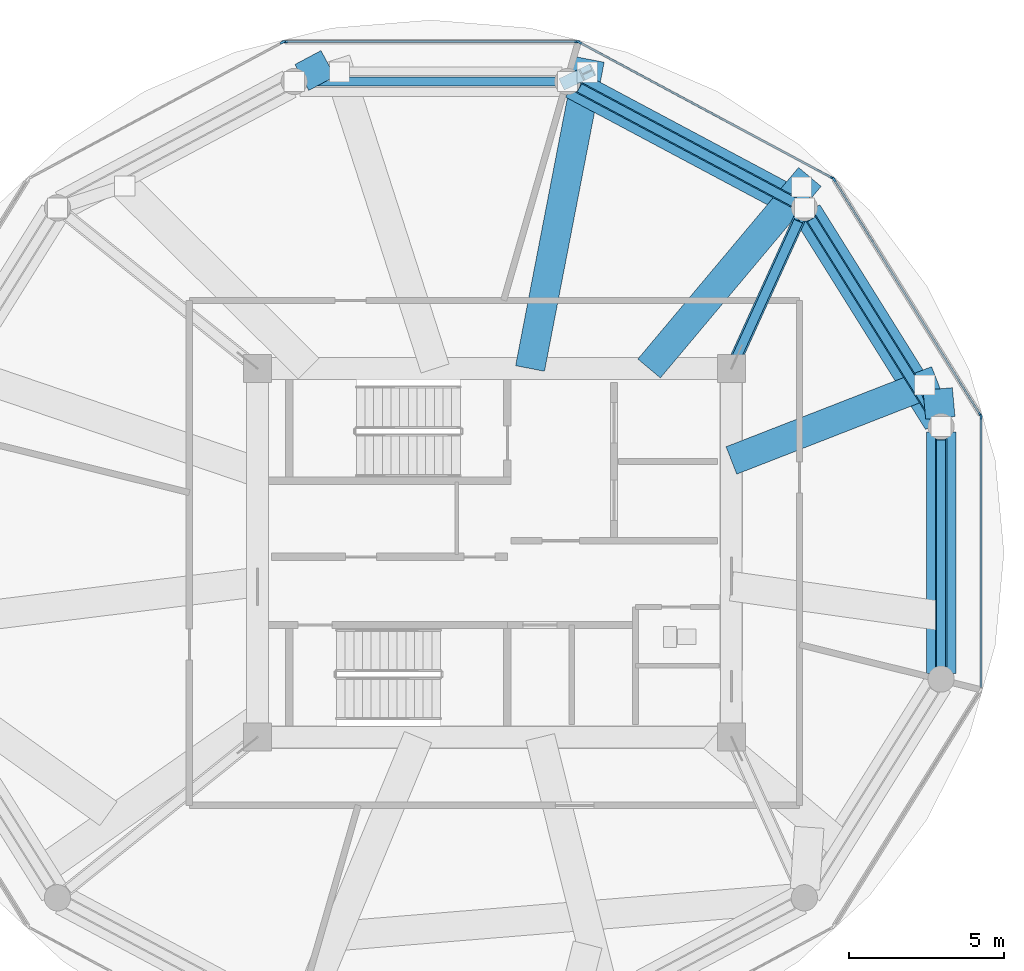
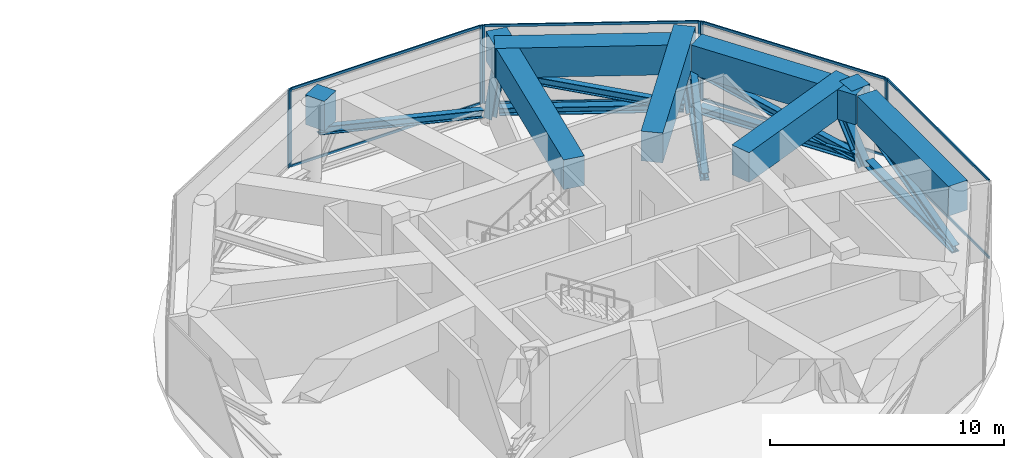
# One storey, part 11 of 23: 28 members, 8 beams, 5 elements without a shape of their own.
"""IFC4 building model written with IfcOpenShell, lengths in metres."""

from ifc_helpers import new_model, si_unit, direction, frame, origin, origin_2d, place, context, subcontext, project, spatial, rectangle, i_section, extrude, source, transform, mapped, material, layer, layer_set, material_profile, profile_set, type_object, type_shapes, element, aggregate, save


model = new_model("IFC4")

# Units and contexts
model_context = context("Model", 3, precision=1e-05, world=origin(), true_north=direction((0.0, 1.0)))
body_context = subcontext(model_context, "Body", "Model", "MODEL_VIEW")
ifc_project = project(units=[si_unit("LENGTHUNIT", "METRE"), si_unit("AREAUNIT", "SQUARE_METRE"), si_unit("VOLUMEUNIT", "CUBIC_METRE"), si_unit("PLANEANGLEUNIT", "RADIAN"), si_unit("MASSUNIT", "GRAM", prefix="KILO")], contexts=[model_context])

# Site, building, storey
site_placement = place(None, origin())
site = spatial("IfcSite", under=ifc_project, at=site_placement, CompositionType="ELEMENT")
building_placement = place(site_placement, origin())
building = spatial("IfcBuilding", under=site, at=building_placement, Name="Norrkilde Senior Care Towers", CompositionType="ELEMENT")
storey_placement = place(building_placement, frame((0.0, 0.0, 129.800048828125)))
storey = spatial("IfcBuildingStorey", under=building, at=storey_placement, Name="L40", CompositionType="ELEMENT", Elevation=129.800048828125)

# Beams
ifc_material_1 = material(Name="Concrete C60/75", Category="concrete")
ifc_material_profile_1 = material_profile(ifc_material_1, rectangle(XDim=0.949951171875, YDim=1.550048828125, at=origin_2d()), Name="RC TG 950x1550")
ifc_profile_set_1 = profile_set([ifc_material_profile_1], Name="Concrete C60/75")
beam_type = type_object("IfcBeamType", Name="Transfer Girder Zone Shift 950x1550", PredefinedType="USERDEFINED", material=ifc_profile_set_1)
shared_shape_1 = source(origin(), body_context, "Body", "SweptSolid", [
    extrude(rectangle(XDim=0.949951171875, YDim=1.550048828125, at=origin_2d()), origin(), (0.0, 0.0, 1.0), 8.302490234375),
])
beam_1_placement = place(storey_placement, frame((37.847412109375, 11.2216796875, 3.304931640625), z_axis=(-0.882355383182, 0.470583656504, 0.0), x_axis=(-0.470583656504, -0.882355383182, 0.0)))
element("IfcBeam", 1, at=beam_1_placement, inside=storey, type_object=beam_type, Name="L40 Drum E Zone Ring Transfer Girder 02", ObjectType="GIRDER", PredefinedType="USERDEFINED", context=body_context, shape_type="MappedRepresentation", body=[
    mapped(shared_shape_1, transform((0.0, 0.0, 0.0), x_axis=(1.0, 0.0, 0.0), y_axis=(0.0, 1.0, 0.0), z_axis=(0.0, 0.0, 1.0), scale=1.0)),
])
shared_shape_2 = source(origin(), body_context, "Body", "SweptSolid", [
    extrude(rectangle(XDim=0.949951171875, YDim=1.550048828125, at=origin_2d()), origin(), (0.0, 0.0, 1.0), 7.96630859375),
])
beam_2_placement = place(storey_placement, frame((42.32373046875, 4.22900390625, 3.304931640625), z_axis=(-0.530004449515, 0.847994860535, 0.0), x_axis=(-0.847994860535, -0.530004449515, 0.0)))
element("IfcBeam", 2, at=beam_2_placement, inside=storey, type_object=beam_type, Name="L40 Drum E Zone Ring Transfer Girder 01", ObjectType="GIRDER", PredefinedType="USERDEFINED", context=body_context, shape_type="MappedRepresentation", body=[
    mapped(shared_shape_2, transform((0.0, 0.0, 0.0), x_axis=(1.0, 0.0, 0.0), y_axis=(0.0, 1.0, 0.0), z_axis=(0.0, 0.0, 1.0), scale=1.0)),
])
shared_shape_3 = source(origin(), body_context, "Body", "SweptSolid", [
    extrude(rectangle(XDim=0.949951171875, YDim=1.550048828125, at=origin_2d()), origin(), (0.0, 0.0, 1.0), 7.79296875),
])
beam_3_placement = place(storey_placement, frame((42.4189453125, -3.896484375, 3.304931640625), z_axis=(0.0, 1.0, 0.0), x_axis=(-1.0, 0.0, 0.0)))
element("IfcBeam", 3, at=beam_3_placement, inside=storey, type_object=beam_type, Name="L40 Drum E Zone Ring Transfer Girder 12", ObjectType="GIRDER", PredefinedType="USERDEFINED", context=body_context, shape_type="MappedRepresentation", body=[
    mapped(shared_shape_3, transform((0.0, 0.0, 0.0), x_axis=(1.0, 0.0, 0.0), y_axis=(0.0, 1.0, 0.0), z_axis=(0.0, 0.0, 1.0), scale=1.0)),
])
shared_shape_4 = source(origin(), body_context, "Body", "SweptSolid", [
    extrude(rectangle(XDim=0.949951171875, YDim=1.550048828125, at=origin_2d()), origin(), (0.0, 0.0, 1.0), 0.953857421875),
])
beam_4_placement = place(storey_placement, frame((22.625732421875, 15.79443359375, 3.304931640625), z_axis=(-0.882182855478, -0.470907007276, 0.0), x_axis=(0.470907007276, -0.882182855478, 0.0)))
element("IfcBeam", 4, at=beam_4_placement, inside=storey, type_object=beam_type, Name="L40 Drum E Zone Star Transfer Tie 04", ObjectType="GIRDER", PredefinedType="USERDEFINED", context=body_context, shape_type="MappedRepresentation", body=[
    mapped(shared_shape_4, transform((0.0, 0.0, 0.0), x_axis=(1.0, 0.0, 0.0), y_axis=(0.0, 1.0, 0.0), z_axis=(0.0, 0.0, 1.0), scale=1.0)),
])
shared_shape_5 = source(origin(), body_context, "Body", "SweptSolid", [
    extrude(rectangle(XDim=0.949951171875, YDim=1.550048828125, at=origin_2d()), origin(), (0.0, 0.0, 1.0), 10.160888671875),
])
beam_5_placement = place(storey_placement, frame((29.149658203125, 5.949951171875, 3.304931640625), z_axis=(0.189721565302, 0.9818379335, 0.0), x_axis=(-0.9818379335, 0.189721565302, 0.0)))
element("IfcBeam", 5, at=beam_5_placement, inside=storey, type_object=beam_type, Name="L40 Drum E Zone Transfer Girder 03", ObjectType="GIRDER", PredefinedType="USERDEFINED", context=body_context, shape_type="MappedRepresentation", body=[
    mapped(shared_shape_5, transform((0.0, 0.0, 0.0), x_axis=(1.0, 0.0, 0.0), y_axis=(0.0, 1.0, 0.0), z_axis=(0.0, 0.0, 1.0), scale=1.0)),
])

# Member
ifc_material_2 = material(Name="Steel S355", Category="steel")
ifc_material_profile_2 = material_profile(ifc_material_2, i_section(OverallWidth=0.412109375, OverallDepth=0.449951171875, WebThickness=0.028076171875, FlangeThickness=0.044921875, FilletRadius=0.014892578125, at=origin_2d()), Name="HD 400x509")
ifc_profile_set_2 = profile_set([ifc_material_profile_2], Name="Steel S355")
member_type_1 = type_object("IfcMemberType", Name="Pratt Bridge Truss Diagonal HD400x509", PredefinedType="BRACE", material=ifc_profile_set_2)
shared_shape_6 = source(origin(), body_context, "Body", "SweptSolid", [
    extrude(i_section(OverallWidth=0.412109375, OverallDepth=0.449951171875, WebThickness=0.028076171875, FlangeThickness=0.044921875, FilletRadius=0.014892578125, at=origin_2d()), origin(), (0.0, 0.0, 1.0), 2.7705078125),
])
member_1_placement = place(storey_placement, frame((30.36279296875, 15.21337890625, 0.14990234375), z_axis=(0.22912386978, 0.108393215319, 0.967343353298), x_axis=(-0.427637935321, 0.903950107182, 0.0)))
element("IfcMember", 6, at=member_1_placement, inside=storey, type_object=member_type_1, Name="L40 Drum E Zone Transfer Raking Strut 03", PredefinedType="BRACE", context=body_context, shape_type="MappedRepresentation", body=[
    mapped(shared_shape_6, transform((0.0, 0.0, 0.0), x_axis=(1.0, 0.0, 0.0), y_axis=(0.0, 1.0, 0.0), z_axis=(0.0, 0.0, 1.0), scale=1.0)),
])

# Beam
shared_shape_7 = source(origin(), body_context, "Body", "SweptSolid", [
    extrude(rectangle(XDim=0.949951171875, YDim=1.550048828125, at=origin_2d()), origin(), (0.0, 0.0, 1.0), 8.073486328125),
])
beam_6_placement = place(storey_placement, frame((32.992919921875, 5.949951171875, 3.304931640625), z_axis=(0.642804079761, 0.766030622784, 0.0), x_axis=(-0.766030622784, 0.642804079761, 0.0)))
element("IfcBeam", 7, at=beam_6_placement, inside=storey, type_object=beam_type, Name="L40 Drum E Zone Transfer Girder 02", ObjectType="GIRDER", PredefinedType="USERDEFINED", context=body_context, shape_type="MappedRepresentation", body=[
    mapped(shared_shape_7, transform((0.0, 0.0, 0.0), x_axis=(1.0, 0.0, 0.0), y_axis=(0.0, 1.0, 0.0), z_axis=(0.0, 0.0, 1.0), scale=1.0)),
])

# Member
shared_shape_8 = source(origin(), body_context, "Body", "SweptSolid", [
    extrude(i_section(OverallWidth=0.412109375, OverallDepth=0.449951171875, WebThickness=0.028076171875, FlangeThickness=0.044921875, FilletRadius=0.014892578125, at=origin_2d()), origin(), (0.0, 0.0, 1.0), 2.765380859375),
])
member_2_placement = place(storey_placement, frame((38.006103515625, 11.136962890625, 0.14990234375), z_axis=(-0.033812734723, 0.244369842593, 0.96909239962), x_axis=(-0.990562578003, -0.137061223763, 0.0)))
element("IfcMember", 8, at=member_2_placement, inside=storey, type_object=member_type_1, Name="L40 Drum E Zone Transfer Raking Strut 02", PredefinedType="BRACE", context=body_context, shape_type="MappedRepresentation", body=[
    mapped(shared_shape_8, transform((0.0, 0.0, 0.0), x_axis=(1.0, 0.0, 0.0), y_axis=(0.0, 1.0, 0.0), z_axis=(0.0, 0.0, 1.0), scale=1.0)),
])

# Beam
shared_shape_9 = source(origin(), body_context, "Body", "SweptSolid", [
    extrude(rectangle(XDim=0.949951171875, YDim=1.550048828125, at=origin_2d()), origin(), (0.0, 0.0, 1.0), 7.12109375),
])
beam_7_placement = place(storey_placement, frame((35.64990234375, 2.981201171875, 3.304931640625), z_axis=(0.931736118659, 0.363136069796, 0.0), x_axis=(-0.363136069796, 0.931736118659, 0.0)))
element("IfcBeam", 9, at=beam_7_placement, inside=storey, type_object=beam_type, Name="L40 Drum E Zone Transfer Girder 01", ObjectType="GIRDER", PredefinedType="USERDEFINED", context=body_context, shape_type="MappedRepresentation", body=[
    mapped(shared_shape_9, transform((0.0, 0.0, 0.0), x_axis=(1.0, 0.0, 0.0), y_axis=(0.0, 1.0, 0.0), z_axis=(0.0, 0.0, 1.0), scale=1.0)),
])

# Member
shared_shape_10 = source(origin(), body_context, "Body", "SweptSolid", [
    extrude(i_section(OverallWidth=0.412109375, OverallDepth=0.449951171875, WebThickness=0.028076171875, FlangeThickness=0.044921875, FilletRadius=0.014892578125, at=origin_2d()), origin(), (0.0, 0.0, 1.0), 3.041259765625),
])
type_shapes(member_type_1, [shared_shape_6, shared_shape_8, shared_shape_10])
member_3_placement = place(storey_placement, frame((42.4189453125, 4.076416015625, 0.14990234375), z_axis=(-0.172759760621, 0.44000755017, 0.881219280828), x_axis=(-0.930823722268, -0.365468463842, 0.0)))
element("IfcMember", 10, at=member_3_placement, inside=storey, type_object=member_type_1, Name="L40 Drum E Zone Transfer Raking Strut 01", PredefinedType="BRACE", context=body_context, shape_type="MappedRepresentation", body=[
    mapped(shared_shape_10, transform((0.0, 0.0, 0.0), x_axis=(1.0, 0.0, 0.0), y_axis=(0.0, 1.0, 0.0), z_axis=(0.0, 0.0, 1.0), scale=1.0)),
])

# Beam
shared_shape_11 = source(origin(), body_context, "Body", "SweptSolid", [
    extrude(rectangle(XDim=0.949951171875, YDim=1.550048828125, at=origin_2d()), origin(), (0.0, 0.0, 1.0), 0.9365234375),
])
type_shapes(beam_type, [shared_shape_1, shared_shape_2, shared_shape_3, shared_shape_4, shared_shape_5, shared_shape_7, shared_shape_9, shared_shape_11])
beam_8_placement = place(storey_placement, frame((42.31005859375, 5.2880859375, 3.304931640625), z_axis=(0.089666141392, -0.995971878663, 0.0), x_axis=(0.995971878663, 0.089666141392, 0.0)))
element("IfcBeam", 11, at=beam_8_placement, inside=storey, type_object=beam_type, Name="L40 Drum E Zone Star Transfer Tie 01", ObjectType="GIRDER", PredefinedType="USERDEFINED", context=body_context, shape_type="MappedRepresentation", body=[
    mapped(shared_shape_11, transform((0.0, 0.0, 0.0), x_axis=(1.0, 0.0, 0.0), y_axis=(0.0, 1.0, 0.0), z_axis=(0.0, 0.0, 1.0), scale=1.0)),
])

# Members
ifc_material_profile_3 = material_profile(ifc_material_2, i_section(OverallWidth=0.300048828125, OverallDepth=0.39990234375, WebThickness=0.013427734375, FlangeThickness=0.02392578125, FilletRadius=0.027099609375, at=origin_2d()), Name="HEB 400")
ifc_profile_set_3 = profile_set([ifc_material_profile_3], Name="Steel S355")
member_type_2 = type_object("IfcMemberType", Name="Belt Truss Diagonal HEB400", PredefinedType="BRACE", material=ifc_profile_set_3)
shared_shape_12 = source(origin(), body_context, "Body", "SweptSolid", [
    extrude(i_section(OverallWidth=0.300048828125, OverallDepth=0.39990234375, WebThickness=0.013427734375, FlangeThickness=0.02392578125, FilletRadius=0.027099609375, at=origin_2d()), origin(), (0.0, 0.0, 1.0), 7.798828125),
])
member_4_placement = place(storey_placement, frame((42.215087890625, 4.40283203125, 0.550048828125), z_axis=(-0.513520239082, 0.821619860701, 0.247462660933), x_axis=(-0.847994673706, -0.530004748437, 0.0)))
element("IfcMember", 12, at=member_4_placement, inside=storey, type_object=member_type_2, Name="L40 Drum E Belt Truss Diagonal 01", PredefinedType="BRACE", context=body_context, shape_type="MappedRepresentation", body=[
    mapped(shared_shape_12, transform((0.0, 0.0, 0.0), x_axis=(1.0, 0.0, 0.0), y_axis=(0.0, 1.0, 0.0), z_axis=(0.0, 0.0, 1.0), scale=1.0)),
])
ifc_material_profile_4 = material_profile(ifc_material_2, i_section(OverallWidth=0.3740234375, OverallDepth=0.386962890625, WebThickness=0.01611328125, FlangeThickness=0.027099609375, FilletRadius=0.014892578125, at=origin_2d()), Name="HD 360x262")
ifc_profile_set_4 = profile_set([ifc_material_profile_4], Name="Steel S355")
member_type_3 = type_object("IfcMemberType", Name="Belt Truss Ring Chord HD360x262", PredefinedType="CHORD", material=ifc_profile_set_4)
shared_shape_13 = source(origin(), body_context, "Body", "SweptSolid", [
    extrude(i_section(OverallWidth=0.3740234375, OverallDepth=0.386962890625, WebThickness=0.01611328125, FlangeThickness=0.027099609375, FilletRadius=0.014892578125, at=origin_2d()), origin(), (0.0, 0.0, 1.0), 7.892333984375),
])
member_5_placement = place(storey_placement, frame((37.66650390625, 11.318115234375, 0.550048828125), z_axis=(-0.882350372282, 0.47059305194, 0.0), x_axis=(-0.47059305194, -0.882350372282, 0.0)))
element("IfcMember", 13, at=member_5_placement, inside=storey, type_object=member_type_3, Name="L40 Drum E Belt Truss Bottom Chord 02", PredefinedType="CHORD", context=body_context, shape_type="MappedRepresentation", body=[
    mapped(shared_shape_13, transform((0.0, 0.0, 0.0), x_axis=(1.0, 0.0, 0.0), y_axis=(0.0, 1.0, 0.0), z_axis=(0.0, 0.0, 1.0), scale=1.0)),
])
shared_shape_14 = source(origin(), body_context, "Body", "SweptSolid", [
    extrude(i_section(OverallWidth=0.300048828125, OverallDepth=0.39990234375, WebThickness=0.013427734375, FlangeThickness=0.02392578125, FilletRadius=0.027099609375, at=origin_2d()), origin(), (0.0, 0.0, 1.0), 8.125),
])
member_6_placement = place(storey_placement, frame((37.66650390625, 11.318115234375, 0.550048828125), z_axis=(-0.85709731652, 0.457124578468, 0.237531702675), x_axis=(-0.47059305194, -0.882350372282, 0.0)))
element("IfcMember", 14, at=member_6_placement, inside=storey, type_object=member_type_2, Name="L40 Drum E Belt Truss Diagonal 02", PredefinedType="BRACE", context=body_context, shape_type="MappedRepresentation", body=[
    mapped(shared_shape_14, transform((0.0, 0.0, 0.0), x_axis=(1.0, 0.0, 0.0), y_axis=(0.0, 1.0, 0.0), z_axis=(0.0, 0.0, 1.0), scale=1.0)),
])
shared_shape_15 = source(origin(), body_context, "Body", "SweptSolid", [
    extrude(i_section(OverallWidth=0.300048828125, OverallDepth=0.39990234375, WebThickness=0.013427734375, FlangeThickness=0.02392578125, FilletRadius=0.027099609375, at=origin_2d()), origin(), (0.0, 0.0, 1.0), 8.28369140625),
])
member_7_placement = place(storey_placement, frame((29.977783203125, 15.21337890625, 0.550048828125), z_axis=(-0.972481125687, 0.0, 0.232981673492), x_axis=(0.0, -1.0, 0.0)))
element("IfcMember", 15, at=member_7_placement, inside=storey, type_object=member_type_2, Name="L40 Drum E Belt Truss Diagonal 03", PredefinedType="BRACE", context=body_context, shape_type="MappedRepresentation", body=[
    mapped(shared_shape_15, transform((0.0, 0.0, 0.0), x_axis=(1.0, 0.0, 0.0), y_axis=(0.0, 1.0, 0.0), z_axis=(0.0, 0.0, 1.0), scale=1.0)),
])
shared_shape_16 = source(origin(), body_context, "Body", "SweptSolid", [
    extrude(i_section(OverallWidth=0.3740234375, OverallDepth=0.386962890625, WebThickness=0.01611328125, FlangeThickness=0.027099609375, FilletRadius=0.014892578125, at=origin_2d()), origin(), (0.0, 0.0, 1.0), 7.556396484375),
])
member_8_placement = place(storey_placement, frame((42.215087890625, 4.40283203125, 0.550048828125), z_axis=(-0.530004748437, 0.847994673706, 0.0), x_axis=(-0.847994673706, -0.530004748437, 0.0)))
element("IfcMember", 16, at=member_8_placement, inside=storey, type_object=member_type_3, Name="L40 Drum E Belt Truss Bottom Chord 01", PredefinedType="CHORD", context=body_context, shape_type="MappedRepresentation", body=[
    mapped(shared_shape_16, transform((0.0, 0.0, 0.0), x_axis=(1.0, 0.0, 0.0), y_axis=(0.0, 1.0, 0.0), z_axis=(0.0, 0.0, 1.0), scale=1.0)),
])
shared_shape_17 = source(origin(), body_context, "Body", "SweptSolid", [
    extrude(i_section(OverallWidth=0.3740234375, OverallDepth=0.386962890625, WebThickness=0.01611328125, FlangeThickness=0.027099609375, FilletRadius=0.014892578125, at=origin_2d()), origin(), (0.0, 0.0, 1.0), 7.3828125),
])
type_shapes(member_type_3, [shared_shape_13, shared_shape_16, shared_shape_17])
member_9_placement = place(storey_placement, frame((42.4189453125, -3.69140625, 0.550048828125), z_axis=(0.0, 1.0, 0.0), x_axis=(-1.0, 0.0, 0.0)))
element("IfcMember", 17, at=member_9_placement, inside=storey, type_object=member_type_3, Name="L40 Drum E Belt Truss Bottom Chord 12", PredefinedType="CHORD", context=body_context, shape_type="MappedRepresentation", body=[
    mapped(shared_shape_17, transform((0.0, 0.0, 0.0), x_axis=(1.0, 0.0, 0.0), y_axis=(0.0, 1.0, 0.0), z_axis=(0.0, 0.0, 1.0), scale=1.0)),
])
shared_shape_18 = source(origin(), body_context, "Body", "SweptSolid", [
    extrude(i_section(OverallWidth=0.300048828125, OverallDepth=0.39990234375, WebThickness=0.013427734375, FlangeThickness=0.02392578125, FilletRadius=0.027099609375, at=origin_2d()), origin(), (0.0, 0.0, 1.0), 7.630859375),
])
type_shapes(member_type_2, [shared_shape_12, shared_shape_14, shared_shape_15, shared_shape_18])
member_10_placement = place(storey_placement, frame((42.4189453125, -3.69140625, 0.550048828125), z_axis=(0.0, 0.967489740565, 0.252910264523), x_axis=(-1.0, 0.0, 0.0)))
element("IfcMember", 18, at=member_10_placement, inside=storey, type_object=member_type_2, Name="L40 Drum E Belt Truss Diagonal 12", PredefinedType="BRACE", context=body_context, shape_type="MappedRepresentation", body=[
    mapped(shared_shape_18, transform((0.0, 0.0, 0.0), x_axis=(1.0, 0.0, 0.0), y_axis=(0.0, 1.0, 0.0), z_axis=(0.0, 0.0, 1.0), scale=1.0)),
])
ifc_material_profile_5 = material_profile(ifc_material_2, i_section(OverallWidth=0.402099609375, OverallDepth=0.419921875, WebThickness=0.02001953125, FlangeThickness=0.032958984375, FilletRadius=0.014892578125, at=origin_2d()), Name="HD 400x347")
ifc_profile_set_5 = profile_set([ifc_material_profile_5], Name="Steel S355")
member_type_4 = type_object("IfcMemberType", Name="Outrigger Truss Chord HD400x347", PredefinedType="CHORD", material=ifc_profile_set_5)
shared_shape_19 = source(origin(), body_context, "Body", "SweptSolid", [
    extrude(i_section(OverallWidth=0.402099609375, OverallDepth=0.419921875, WebThickness=0.02001953125, FlangeThickness=0.032958984375, FilletRadius=0.014892578125, at=origin_2d()), origin(), (0.0, 0.0, 1.0), 4.902099609375),
])
type_shapes(member_type_4, [shared_shape_19])
member_11_placement = place(storey_placement, frame((35.819580078125, 6.3232421875, 0.550048828125), z_axis=(0.413574036598, 0.910470491697, 0.0), x_axis=(-0.910470491697, 0.413574036598, 0.0)))
element("IfcMember", 19, at=member_11_placement, inside=storey, type_object=member_type_4, Name="L40 Drum E Outrigger Chord 3", PredefinedType="CHORD", context=body_context, shape_type="MappedRepresentation", body=[
    mapped(shared_shape_19, transform((0.0, 0.0, 0.0), x_axis=(1.0, 0.0, 0.0), y_axis=(0.0, 1.0, 0.0), z_axis=(0.0, 0.0, 1.0), scale=1.0)),
])
ifc_material_profile_6 = material_profile(ifc_material_2, i_section(OverallWidth=0.300048828125, OverallDepth=0.5, WebThickness=0.014404296875, FlangeThickness=0.028076171875, FilletRadius=0.027099609375, at=origin_2d()), Name="HEB 500")
ifc_profile_set_6 = profile_set([ifc_material_profile_6], Name="Steel S355")
member_type_5 = type_object("IfcMemberType", Name="Outrigger Truss Diagonal HEB500", PredefinedType="BRACE", material=ifc_profile_set_6)
shared_shape_20 = source(origin(), body_context, "Body", "SweptSolid", [
    extrude(i_section(OverallWidth=0.300048828125, OverallDepth=0.5, WebThickness=0.014404296875, FlangeThickness=0.028076171875, FilletRadius=0.027099609375, at=origin_2d()), origin(), (0.0, 0.0, 1.0), 5.268310546875),
])
type_shapes(member_type_5, [shared_shape_20])
member_12_placement = place(storey_placement, frame((35.819580078125, 6.3232421875, 0.550048828125), z_axis=(0.384823878835, 0.847177905707, 0.36633342512), x_axis=(-0.910470491697, 0.413574036598, 0.0)))
element("IfcMember", 20, at=member_12_placement, inside=storey, type_object=member_type_5, Name="L40 Drum E Outrigger Diagonal 3", PredefinedType="BRACE", context=body_context, shape_type="MappedRepresentation", body=[
    mapped(shared_shape_20, transform((0.0, 0.0, 0.0), x_axis=(1.0, 0.0, 0.0), y_axis=(0.0, 1.0, 0.0), z_axis=(0.0, 0.0, 1.0), scale=1.0)),
])

# Curtain wall, members
ifc_material_3 = material(Name="Triple Low-E Insulated Glazing", Category="glass")
ifc_layer = layer(ifc_material_3, 0.18505859375)
ifc_layer_set = layer_set([ifc_layer], Name="Triple Low-E Insulated Glazing")
curtain_wall_type = type_object("IfcCurtainWallType", Name="CW6 Zone 4 Crown Pavilion Curtain Wall", PredefinedType="NOTDEFINED", material=ifc_layer_set)
curtain_wall_1_placement = place(storey_placement, origin())
curtain_wall_1 = element("IfcCurtainWall", 21, at=curtain_wall_1_placement, inside=storey, type_object=curtain_wall_type, Name="L40 Drum E Curtain Wall 00", PredefinedType="NOTDEFINED")
ifc_material_4 = material(Name="Anodised Aluminium", Category="aluminium")
ifc_material_profile_7 = material_profile(ifc_material_4, rectangle(XDim=0.070068359375, YDim=0.169921875, at=origin_2d()), Name="ALU MULL 70x170")
ifc_profile_set_7 = profile_set([ifc_material_profile_7], Name="Anodised Aluminium")
member_type_6 = type_object("IfcMemberType", Name="Curtain Wall Mullion Heavy 70x170", PredefinedType="MULLION", material=ifc_profile_set_7)
shared_shape_21 = source(origin(), body_context, "Body", "SweptSolid", [
    extrude(rectangle(XDim=0.070068359375, YDim=0.169921875, at=origin_2d()), origin(), (0.0, 0.0, 1.0), 4.079833984375),
])
type_shapes(member_type_6, [shared_shape_21])
member_13_placement = place(storey_placement, frame((38.965087890625, 12.047607421875, 0.0), z_axis=(0.0, 0.0, 1.0), x_axis=(0.849410171862, 0.527733228002, 0.0)))
member_13 = element("IfcMember", 22, at=member_13_placement, type_object=member_type_6, Name="CW-6 mullion 1", PredefinedType="MULLION", context=body_context, shape_type="MappedRepresentation", body=[
    mapped(shared_shape_21, transform((0.0, 0.0, 0.0), x_axis=(1.0, 0.0, 0.0), y_axis=(0.0, 1.0, 0.0), z_axis=(0.0, 0.0, 1.0), scale=1.0)),
])
member_14_placement = place(storey_placement, frame((43.685302734375, 4.450439453125, 0.0), z_axis=(0.0, 0.0, 1.0), x_axis=(0.849410171862, 0.527733228002, 0.0)))
member_14 = element("IfcMember", 23, at=member_14_placement, type_object=member_type_6, Name="CW-6 mullion 2", PredefinedType="MULLION", context=body_context, shape_type="MappedRepresentation", body=[
    mapped(shared_shape_21, transform((0.0, 0.0, 0.0), x_axis=(1.0, 0.0, 0.0), y_axis=(0.0, 1.0, 0.0), z_axis=(0.0, 0.0, 1.0), scale=1.0)),
])

curtain_wall_2_placement = place(storey_placement, origin())
curtain_wall_2 = element("IfcCurtainWall", 24, at=curtain_wall_2_placement, inside=storey, type_object=curtain_wall_type, Name="L40 Drum E Curtain Wall 01", PredefinedType="NOTDEFINED")
member_15_placement = place(storey_placement, frame((30.738037109375, 16.4814453125, 0.0), z_axis=(0.0, 0.0, 1.0), x_axis=(0.472769402511, 0.881186184668, 0.0)))
member_15 = element("IfcMember", 25, at=member_15_placement, type_object=member_type_6, Name="CW-6 mullion 1", PredefinedType="MULLION", context=body_context, shape_type="MappedRepresentation", body=[
    mapped(shared_shape_21, transform((0.0, 0.0, 0.0), x_axis=(1.0, 0.0, 0.0), y_axis=(0.0, 1.0, 0.0), z_axis=(0.0, 0.0, 1.0), scale=1.0)),
])
member_16_placement = place(storey_placement, frame((38.915771484375, 12.093994140625, 0.0), z_axis=(0.0, 0.0, 1.0), x_axis=(0.472769402511, 0.881186184668, 0.0)))
member_16 = element("IfcMember", 26, at=member_16_placement, type_object=member_type_6, Name="CW-6 mullion 2", PredefinedType="MULLION", context=body_context, shape_type="MappedRepresentation", body=[
    mapped(shared_shape_21, transform((0.0, 0.0, 0.0), x_axis=(1.0, 0.0, 0.0), y_axis=(0.0, 1.0, 0.0), z_axis=(0.0, 0.0, 1.0), scale=1.0)),
])

curtain_wall_3_placement = place(storey_placement, origin())
curtain_wall_3 = element("IfcCurtainWall", 27, at=curtain_wall_3_placement, inside=storey, type_object=curtain_wall_type, Name="L40 Drum E Curtain Wall 02", PredefinedType="NOTDEFINED")
member_17_placement = place(storey_placement, frame((21.22802734375, 16.498046875, 0.0), z_axis=(0.0, 0.0, 1.0), x_axis=(0.0, 1.0, 0.0)))
member_17 = element("IfcMember", 28, at=member_17_placement, type_object=member_type_6, Name="CW-6 mullion 1", PredefinedType="MULLION", context=body_context, shape_type="MappedRepresentation", body=[
    mapped(shared_shape_21, transform((0.0, 0.0, 0.0), x_axis=(1.0, 0.0, 0.0), y_axis=(0.0, 1.0, 0.0), z_axis=(0.0, 0.0, 1.0), scale=1.0)),
])
member_18_placement = place(storey_placement, frame((30.672119140625, 16.498046875, 0.0), z_axis=(0.0, 0.0, 1.0), x_axis=(0.0, 1.0, 0.0)))
member_18 = element("IfcMember", 29, at=member_18_placement, type_object=member_type_6, Name="CW-6 mullion 2", PredefinedType="MULLION", context=body_context, shape_type="MappedRepresentation", body=[
    mapped(shared_shape_21, transform((0.0, 0.0, 0.0), x_axis=(1.0, 0.0, 0.0), y_axis=(0.0, 1.0, 0.0), z_axis=(0.0, 0.0, 1.0), scale=1.0)),
])

# Curtain wall, member
curtain_wall_4_placement = place(storey_placement, origin())
curtain_wall_4 = element("IfcCurtainWall", 30, at=curtain_wall_4_placement, inside=storey, type_object=curtain_wall_type, Name="L40 Drum E Curtain Wall 03", PredefinedType="NOTDEFINED")
member_19_placement = place(storey_placement, frame((21.162109375, 16.4814453125, 0.0), z_axis=(0.0, 0.0, 1.0), x_axis=(-0.472769402511, 0.881186184668, 0.0)))
member_19 = element("IfcMember", 31, at=member_19_placement, type_object=member_type_6, Name="CW-6 mullion 2", PredefinedType="MULLION", context=body_context, shape_type="MappedRepresentation", body=[
    mapped(shared_shape_21, transform((0.0, 0.0, 0.0), x_axis=(1.0, 0.0, 0.0), y_axis=(0.0, 1.0, 0.0), z_axis=(0.0, 0.0, 1.0), scale=1.0)),
])
aggregate(curtain_wall_4, [member_19])

curtain_wall_5_placement = place(storey_placement, origin())
curtain_wall_5 = element("IfcCurtainWall", 32, at=curtain_wall_5_placement, inside=storey, type_object=curtain_wall_type, Name="L40 Drum E Curtain Wall 11", PredefinedType="NOTDEFINED")
member_20_placement = place(storey_placement, frame((43.70361328125, 4.3857421875, 0.0), z_axis=(0.0, 0.0, 1.0), x_axis=(1.0, 0.0, 0.0)))
member_20 = element("IfcMember", 33, at=member_20_placement, type_object=member_type_6, Name="CW-6 mullion 1", PredefinedType="MULLION", context=body_context, shape_type="MappedRepresentation", body=[
    mapped(shared_shape_21, transform((0.0, 0.0, 0.0), x_axis=(1.0, 0.0, 0.0), y_axis=(0.0, 1.0, 0.0), z_axis=(0.0, 0.0, 1.0), scale=1.0)),
])

# Member
ifc_material_profile_8 = material_profile(ifc_material_4, rectangle(XDim=0.06494140625, YDim=0.1298828125, at=origin_2d()), Name="ALU TRAN 65x130")
ifc_profile_set_8 = profile_set([ifc_material_profile_8], Name="Anodised Aluminium")
member_type_7 = type_object("IfcMemberType", Name="Curtain Wall Transom Heavy 65x130", PredefinedType="USERDEFINED", material=ifc_profile_set_8)
shared_shape_22 = source(origin(), body_context, "Body", "SweptSolid", [
    extrude(rectangle(XDim=0.06494140625, YDim=0.1298828125, at=origin_2d()), origin(), (0.0, 0.0, 1.0), 8.874267578125),
])
member_21_placement = place(storey_placement, frame((38.983642578125, 12.017822265625, 0.032470703125), z_axis=(0.527724406415, -0.849415652595, 0.0), x_axis=(0.849415652595, 0.527724406415, 0.0)))
member_21 = element("IfcMember", 34, at=member_21_placement, type_object=member_type_7, Name="CW-6 transom 1.1", ObjectType="TRANSOM", PredefinedType="USERDEFINED", context=body_context, shape_type="MappedRepresentation", body=[
    mapped(shared_shape_22, transform((0.0, 0.0, 0.0), x_axis=(1.0, 0.0, 0.0), y_axis=(0.0, 1.0, 0.0), z_axis=(0.0, 0.0, 1.0), scale=1.0)),
])

member_22_placement = place(storey_placement, frame((38.983642578125, 12.017822265625, 4.04736328125), z_axis=(0.527724406415, -0.849415652595, 0.0), x_axis=(0.849415652595, 0.527724406415, 0.0)))
member_22 = element("IfcMember", 35, at=member_22_placement, type_object=member_type_7, Name="CW-6 transom 1.2", ObjectType="TRANSOM", PredefinedType="USERDEFINED", context=body_context, shape_type="MappedRepresentation", body=[
    mapped(shared_shape_22, transform((0.0, 0.0, 0.0), x_axis=(1.0, 0.0, 0.0), y_axis=(0.0, 1.0, 0.0), z_axis=(0.0, 0.0, 1.0), scale=1.0)),
])

aggregate(curtain_wall_1, [member_13, member_14, member_21, member_22])

shared_shape_23 = source(origin(), body_context, "Body", "SweptSolid", [
    extrude(rectangle(XDim=0.06494140625, YDim=0.1298828125, at=origin_2d()), origin(), (0.0, 0.0, 1.0), 9.374267578125),
])
member_23_placement = place(storey_placement, frame((21.262939453125, 16.498046875, 0.032470703125), z_axis=(1.0, 0.0, 0.0), x_axis=(0.0, 1.0, 0.0)))
member_23 = element("IfcMember", 36, at=member_23_placement, type_object=member_type_7, Name="CW-6 transom 1.1", ObjectType="TRANSOM", PredefinedType="USERDEFINED", context=body_context, shape_type="MappedRepresentation", body=[
    mapped(shared_shape_23, transform((0.0, 0.0, 0.0), x_axis=(1.0, 0.0, 0.0), y_axis=(0.0, 1.0, 0.0), z_axis=(0.0, 0.0, 1.0), scale=1.0)),
])

member_24_placement = place(storey_placement, frame((21.262939453125, 16.498046875, 4.04736328125), z_axis=(1.0, 0.0, 0.0), x_axis=(0.0, 1.0, 0.0)))
member_24 = element("IfcMember", 37, at=member_24_placement, type_object=member_type_7, Name="CW-6 transom 1.2", ObjectType="TRANSOM", PredefinedType="USERDEFINED", context=body_context, shape_type="MappedRepresentation", body=[
    mapped(shared_shape_23, transform((0.0, 0.0, 0.0), x_axis=(1.0, 0.0, 0.0), y_axis=(0.0, 1.0, 0.0), z_axis=(0.0, 0.0, 1.0), scale=1.0)),
])

aggregate(curtain_wall_3, [member_17, member_18, member_23, member_24])

shared_shape_24 = source(origin(), body_context, "Body", "SweptSolid", [
    extrude(rectangle(XDim=0.06494140625, YDim=0.1298828125, at=origin_2d()), origin(), (0.0, 0.0, 1.0), 9.21044921875),
])
member_25_placement = place(storey_placement, frame((30.768798828125, 16.46484375, 0.032470703125), z_axis=(0.881196089669, -0.472750940297, 0.0), x_axis=(0.472750940297, 0.881196089669, 0.0)))
member_25 = element("IfcMember", 38, at=member_25_placement, type_object=member_type_7, Name="CW-6 transom 1.1", ObjectType="TRANSOM", PredefinedType="USERDEFINED", context=body_context, shape_type="MappedRepresentation", body=[
    mapped(shared_shape_24, transform((0.0, 0.0, 0.0), x_axis=(1.0, 0.0, 0.0), y_axis=(0.0, 1.0, 0.0), z_axis=(0.0, 0.0, 1.0), scale=1.0)),
])

member_26_placement = place(storey_placement, frame((30.768798828125, 16.46484375, 4.04736328125), z_axis=(0.881196089669, -0.472750940297, 0.0), x_axis=(0.472750940297, 0.881196089669, 0.0)))
member_26 = element("IfcMember", 39, at=member_26_placement, type_object=member_type_7, Name="CW-6 transom 1.2", ObjectType="TRANSOM", PredefinedType="USERDEFINED", context=body_context, shape_type="MappedRepresentation", body=[
    mapped(shared_shape_24, transform((0.0, 0.0, 0.0), x_axis=(1.0, 0.0, 0.0), y_axis=(0.0, 1.0, 0.0), z_axis=(0.0, 0.0, 1.0), scale=1.0)),
])

aggregate(curtain_wall_2, [member_15, member_16, member_25, member_26])

shared_shape_25 = source(origin(), body_context, "Body", "SweptSolid", [
    extrude(rectangle(XDim=0.06494140625, YDim=0.1298828125, at=origin_2d()), origin(), (0.0, 0.0, 1.0), 8.701171875),
])
type_shapes(member_type_7, [shared_shape_22, shared_shape_23, shared_shape_24, shared_shape_25])
member_27_placement = place(storey_placement, frame((43.70361328125, 4.3505859375, 0.032470703125), z_axis=(0.0, -1.0, 0.0), x_axis=(1.0, 0.0, 0.0)))
member_27 = element("IfcMember", 40, at=member_27_placement, type_object=member_type_7, Name="CW-6 transom 1.1", ObjectType="TRANSOM", PredefinedType="USERDEFINED", context=body_context, shape_type="MappedRepresentation", body=[
    mapped(shared_shape_25, transform((0.0, 0.0, 0.0), x_axis=(1.0, 0.0, 0.0), y_axis=(0.0, 1.0, 0.0), z_axis=(0.0, 0.0, 1.0), scale=1.0)),
])

member_28_placement = place(storey_placement, frame((43.70361328125, 4.3505859375, 4.04736328125), z_axis=(0.0, -1.0, 0.0), x_axis=(1.0, 0.0, 0.0)))
member_28 = element("IfcMember", 41, at=member_28_placement, type_object=member_type_7, Name="CW-6 transom 1.2", ObjectType="TRANSOM", PredefinedType="USERDEFINED", context=body_context, shape_type="MappedRepresentation", body=[
    mapped(shared_shape_25, transform((0.0, 0.0, 0.0), x_axis=(1.0, 0.0, 0.0), y_axis=(0.0, 1.0, 0.0), z_axis=(0.0, 0.0, 1.0), scale=1.0)),
])

aggregate(curtain_wall_5, [member_20, member_27, member_28])

save(model, "model.ifc")
